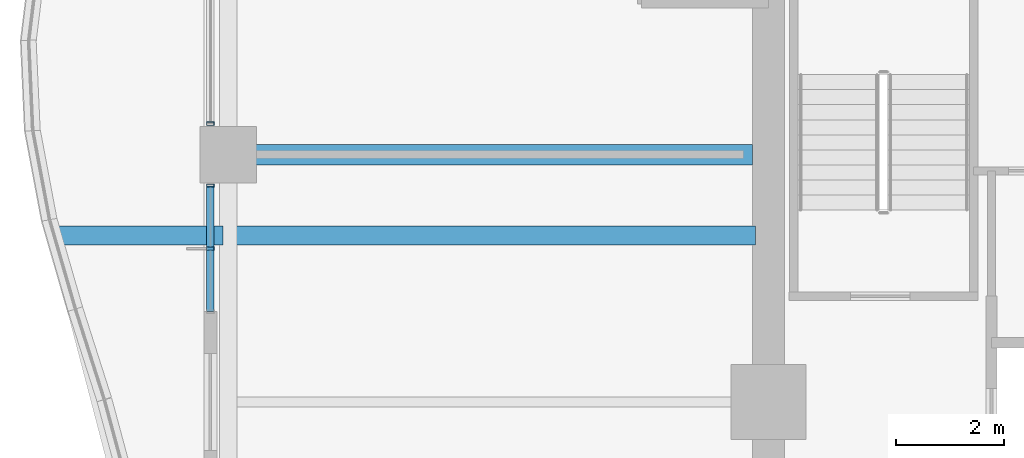
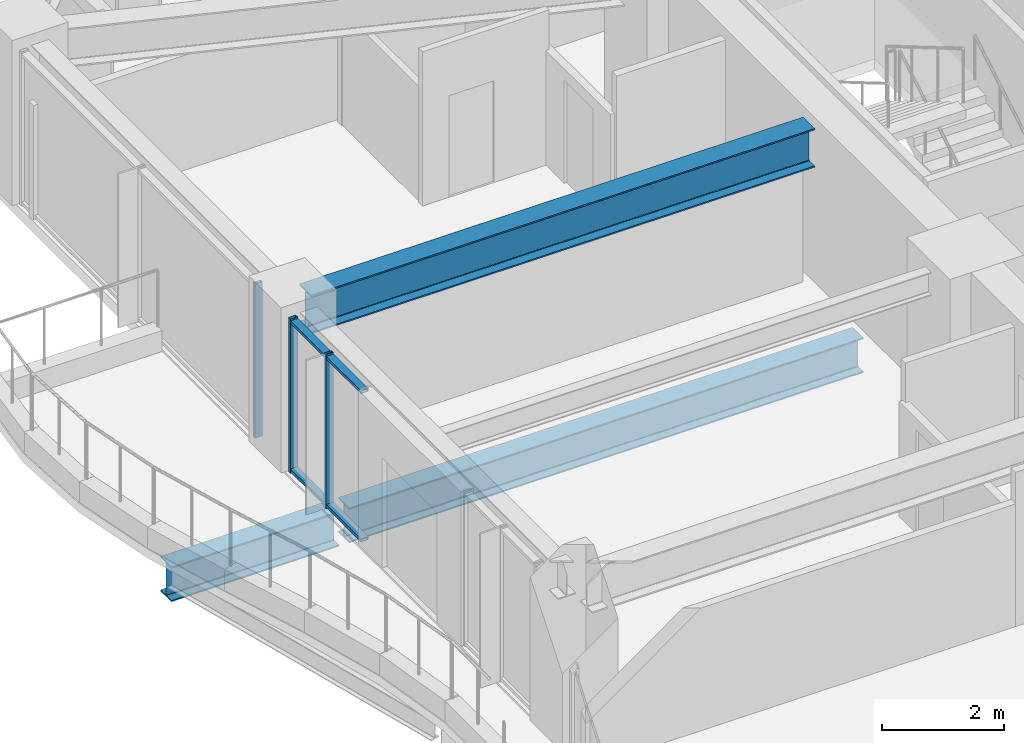
# One storey, part 9 of 38: 5 members, 3 beams, 2 elements without a shape of their own.
"""IFC4 building model written with IfcOpenShell, lengths in metres."""

from ifc_helpers import new_model, si_unit, direction, frame, origin, origin_2d, place, context, subcontext, project, spatial, hollow_rectangle, i_section, extrude, material, material_profile, profile_set, type_object, element, aggregate, save


model = new_model("IFC4")

# Units and contexts
model_context = context("Model", 3, precision=1e-05, world=origin(), true_north=direction((0.0, 1.0)))
body_context = subcontext(model_context, "Body", "Model", "MODEL_VIEW")
ifc_project = project(units=[si_unit("LENGTHUNIT", "METRE"), si_unit("AREAUNIT", "SQUARE_METRE"), si_unit("VOLUMEUNIT", "CUBIC_METRE"), si_unit("PLANEANGLEUNIT", "RADIAN"), si_unit("MASSUNIT", "GRAM", prefix="KILO")], contexts=[model_context])

# Site, building, storey
site_placement = place(None, origin())
site = spatial("IfcSite", under=ifc_project, at=site_placement, CompositionType="ELEMENT")
building_placement = place(site_placement, origin())
building = spatial("IfcBuilding", under=site, at=building_placement, Name="Kolvaren Belvedere", CompositionType="ELEMENT")
storey_placement = place(building_placement, frame((0.0, 0.0, 101.89990234375)))
storey = spatial("IfcBuildingStorey", under=building, at=storey_placement, Name="L29", CompositionType="ELEMENT", Elevation=101.89990234375)

# Beams
ifc_material_1 = material(Name="Structural steel ASTM A992 Grade 50", Category="steel")
ifc_material_profile_1 = material_profile(ifc_material_1, i_section(OverallWidth=0.35498046875, OverallDepth=0.696044921875, WebThickness=0.015380859375, FlangeThickness=0.02490234375, FilletRadius=0.02197265625, at=origin_2d()), Name="W27X146")
ifc_profile_set_1 = profile_set([ifc_material_profile_1], Name="Structural steel ASTM A992 Grade 50")
beam_type_1 = type_object("IfcBeamType", Name="BM-CANT-BAL", PredefinedType="BEAM", material=ifc_profile_set_1)
beam_1_placement = place(storey_placement, frame((-20.044921875, 3.10009765625, -0.56787109375), z_axis=(-1.0, 0.0, 0.0), x_axis=(0.0, -1.0, 0.0)))
element("IfcBeam", 1, at=beam_1_placement, inside=storey, type_object=beam_type_1, Name="L29 Planted Balcony Cantilever BAL-W-2", PredefinedType="BEAM", context=body_context, shape_type="SweptSolid", body=[
    extrude(i_section(OverallWidth=0.35498046875, OverallDepth=0.696044921875, WebThickness=0.015380859375, FlangeThickness=0.02490234375, FilletRadius=0.02197265625, at=origin_2d()), origin(), (0.0, 0.0, 1.0), 3.168212890625),
])
ifc_material_2 = material(Name="Structural steel ASTM A992 Grade 50", Category="steel")
ifc_material_profile_2 = material_profile(ifc_material_2, i_section(OverallWidth=0.35498046875, OverallDepth=0.696044921875, WebThickness=0.015380859375, FlangeThickness=0.02490234375, FilletRadius=0.02197265625, at=origin_2d()), Name="W27X146")
ifc_profile_set_2 = profile_set([ifc_material_profile_2], Name="Structural steel ASTM A992 Grade 50")
beam_type_2 = type_object("IfcBeamType", Name="BM-GIRD-W27X146", PredefinedType="BEAM", material=ifc_profile_set_2)
beam_2_placement = place(storey_placement, frame((-10.139892578125, 3.10009765625, -0.56787109375), z_axis=(-1.0, 0.0, 0.0), x_axis=(0.0, -1.0, 0.0)))
element("IfcBeam", 2, at=beam_2_placement, inside=storey, type_object=beam_type_2, Name="L29 Balcony Interior Back-Span Girder BAL-W-2", PredefinedType="BEAM", context=body_context, shape_type="SweptSolid", body=[
    extrude(i_section(OverallWidth=0.35498046875, OverallDepth=0.696044921875, WebThickness=0.015380859375, FlangeThickness=0.02490234375, FilletRadius=0.02197265625, at=origin_2d()), origin(), (0.0, 0.0, 1.0), 9.715087890625),
])
ifc_material_3 = material(Name="Structural steel ASTM A992 Grade 50", Category="steel")
ifc_material_profile_3 = material_profile(ifc_material_3, i_section(OverallWidth=0.381103515625, OverallDepth=0.77294921875, WebThickness=0.0166015625, FlangeThickness=0.027099609375, FilletRadius=0.02392578125, at=origin_2d()), Name="W30X173")
ifc_profile_set_3 = profile_set([ifc_material_profile_3], Name="Structural steel ASTM A992 Grade 50")
beam_type_3 = type_object("IfcBeamType", Name="BM-GIRD-W30X173", PredefinedType="BEAM", material=ifc_profile_set_3)
beam_3_placement = place(storey_placement, frame((-10.199951171875, 4.60009765625, 2.693603515625), z_axis=(-1.0, 0.0, 0.0), x_axis=(0.0, -1.0, 0.0)))
element("IfcBeam", 3, at=beam_3_placement, inside=storey, type_object=beam_type_3, Name="L29 West Radial Girder P", PredefinedType="BEAM", context=body_context, shape_type="SweptSolid", body=[
    extrude(i_section(OverallWidth=0.381103515625, OverallDepth=0.77294921875, WebThickness=0.0166015625, FlangeThickness=0.027099609375, FilletRadius=0.02392578125, at=origin_2d()), origin(), (0.0, 0.0, 1.0), 9.513916015625),
])

# Curtain wall, members
ifc_material_4 = material(Name="Anodised pale-metal aluminium AA 6063-T6", Category="aluminium")
curtain_wall_type = type_object("IfcCurtainWallType", Name="CW-Z2-MID", PredefinedType="NOTDEFINED", material=ifc_material_4)
curtain_wall_1_placement = place(storey_placement, origin())
curtain_wall_1 = element("IfcCurtainWall", 4, at=curtain_wall_1_placement, inside=storey, type_object=curtain_wall_type, Name="L29 Unitised Curtain Wall FCW-L29-W2-B1", PredefinedType="NOTDEFINED")
ifc_material_5 = material(Name="Anodised pale-metal aluminium AA 6063-T6", Category="aluminium")
ifc_material_profile_4 = material_profile(ifc_material_5, hollow_rectangle(XDim=0.06494140625, YDim=0.139892578125, WallThickness=0.00390625, at=origin_2d()), Name="ALU-MUL-140X65")
ifc_profile_set_4 = profile_set([ifc_material_profile_4], Name="Anodised pale-metal aluminium AA 6063-T6")
member_type_1 = type_object("IfcMemberType", Name="CW-MUL-140", PredefinedType="MULLION", material=ifc_profile_set_4)
member_1_placement = place(storey_placement, frame((-20.280029296875, 2.851318359375, 0.0), z_axis=(0.0, 0.0, 1.0), x_axis=(0.0, 1.0, 0.0)))
member_1 = element("IfcMember", 5, at=member_1_placement, type_object=member_type_1, Name="FCW-L29-W2-B1 Unitised Mullion 2", PredefinedType="MULLION", context=body_context, shape_type="SweptSolid", body=[
    extrude(hollow_rectangle(XDim=0.06494140625, YDim=0.139892578125, WallThickness=0.00390625, at=origin_2d()), origin(), (0.0, 0.0, 1.0), 3.080078125),
])
member_2_placement = place(storey_placement, frame((-20.280029296875, 4.0224609375, 0.0), z_axis=(0.0, 0.0, 1.0), x_axis=(0.0, 1.0, 0.0)))
member_2 = element("IfcMember", 6, at=member_2_placement, type_object=member_type_1, Name="FCW-L29-W2-B1 Unitised Mullion 3", PredefinedType="MULLION", context=body_context, shape_type="SweptSolid", body=[
    extrude(hollow_rectangle(XDim=0.06494140625, YDim=0.139892578125, WallThickness=0.00390625, at=origin_2d()), origin(), (0.0, 0.0, 1.0), 3.080078125),
])

# Curtain wall, member
curtain_wall_2_placement = place(storey_placement, origin())
curtain_wall_2 = element("IfcCurtainWall", 7, at=curtain_wall_2_placement, inside=storey, type_object=curtain_wall_type, Name="L29 Unitised Curtain Wall FCW-L29-W2-B2", PredefinedType="NOTDEFINED")
member_3_placement = place(storey_placement, frame((-20.280029296875, 5.177490234375, 0.0), z_axis=(0.0, 0.0, 1.0), x_axis=(0.0, 1.0, 0.0)))
member_3 = element("IfcMember", 8, at=member_3_placement, type_object=member_type_1, Name="FCW-L29-W2-B2 Unitised Mullion 1", PredefinedType="MULLION", context=body_context, shape_type="SweptSolid", body=[
    extrude(hollow_rectangle(XDim=0.06494140625, YDim=0.139892578125, WallThickness=0.00390625, at=origin_2d()), origin(), (0.0, 0.0, 1.0), 3.080078125),
])
aggregate(curtain_wall_2, [member_3])

# Member
ifc_material_6 = material(Name="Anodised pale-metal aluminium AA 6063-T6", Category="aluminium")
ifc_material_profile_5 = material_profile(ifc_material_6, hollow_rectangle(XDim=0.06005859375, YDim=0.139892578125, WallThickness=0.00390625, at=origin_2d()), Name="ALU-TRN-140X60")
ifc_profile_set_5 = profile_set([ifc_material_profile_5], Name="Anodised pale-metal aluminium AA 6063-T6")
member_type_2 = type_object("IfcMemberType", Name="CW-TRN-140", PredefinedType="USERDEFINED", material=ifc_profile_set_5)
member_4_placement = place(storey_placement, frame((-20.280029296875, 1.679931640625, 0.06005859375), z_axis=(0.0, 1.0, 0.0), x_axis=(0.0, 0.0, 1.0)))
member_4 = element("IfcMember", 9, at=member_4_placement, type_object=member_type_2, Name="FCW-L29-W2-B1 Sill Transom", ObjectType="TRANSOM", PredefinedType="USERDEFINED", context=body_context, shape_type="SweptSolid", body=[
    extrude(hollow_rectangle(XDim=0.06005859375, YDim=0.139892578125, WallThickness=0.00390625, at=origin_2d()), origin(), (0.0, 0.0, 1.0), 2.342529296875),
])

member_5_placement = place(storey_placement, frame((-20.280029296875, 1.679931640625, 3.02001953125), z_axis=(0.0, 1.0, 0.0), x_axis=(0.0, 0.0, 1.0)))
member_5 = element("IfcMember", 10, at=member_5_placement, type_object=member_type_2, Name="FCW-L29-W2-B1 Head Transom", ObjectType="TRANSOM", PredefinedType="USERDEFINED", context=body_context, shape_type="SweptSolid", body=[
    extrude(hollow_rectangle(XDim=0.06005859375, YDim=0.139892578125, WallThickness=0.00390625, at=origin_2d()), origin(), (0.0, 0.0, 1.0), 2.342529296875),
])

aggregate(curtain_wall_1, [member_1, member_2, member_4, member_5])

save(model, "model.ifc")
